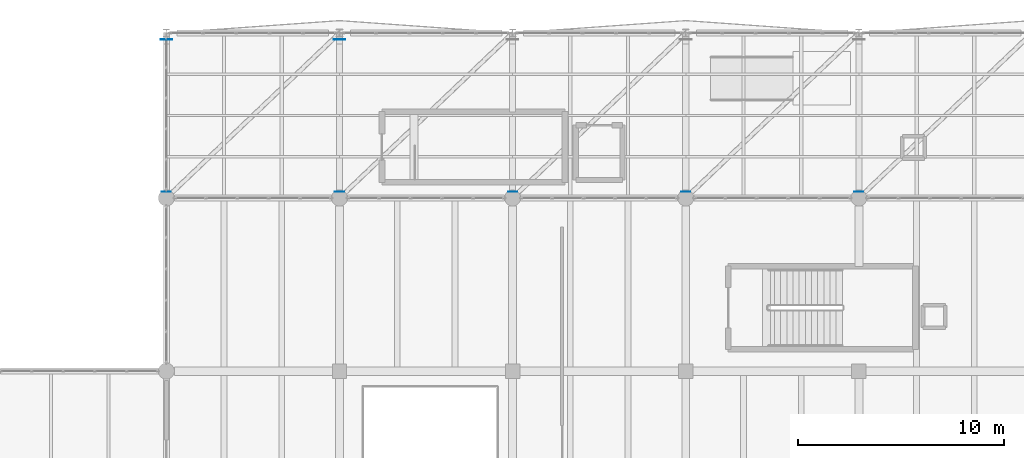
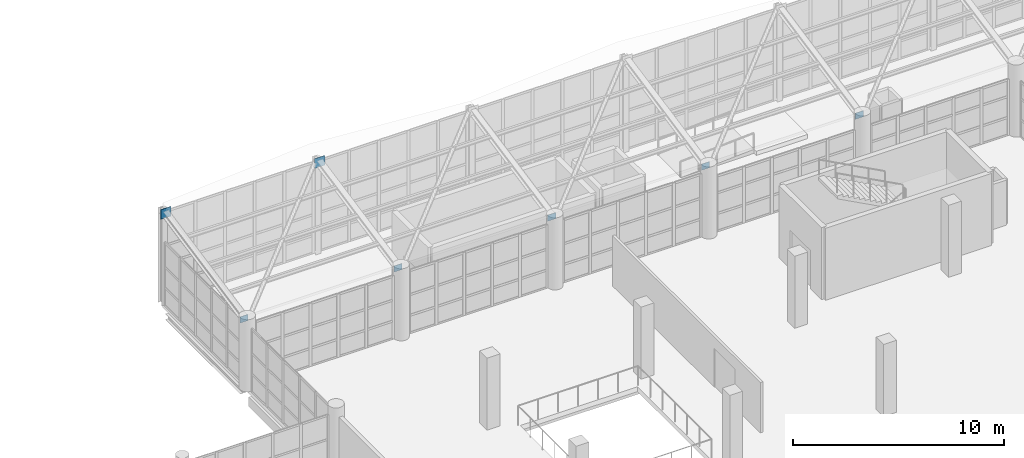
# One storey, part 143 of 177: 7 plates.
"""IFC4 building model written with IfcOpenShell, lengths in metres."""

import ifcopenshell
import ifcopenshell.guid

model = None  # the IFC model being written
_history = None  # IfcOwnerHistory: only IFC2X3 demands one
_inside = {}  # id of a spatial element -> (the spatial element, [elements in it])
_under = {}  # id of a project, library or spatial element -> (it, [spatial elements below it])
_declared = {}  # id of a project -> (the project, [libraries it declares])
_typed = {}  # id of a type object -> (the type object, [elements of that type])
_made_of = {}  # id of a material, layer set ... -> (it, [elements and type objects made of it])


def new_model(schema):
    """Start an empty IFC model of exactly this schema.

    Asked for "IFC4X3", IfcOpenShell would pick the latest addendum, in which some entities
    have other attributes; the version numbers below select the first issue.
    IFC2X3 requires an IfcOwnerHistory on every rooted entity: one is made here for all.
    """
    global model, _history
    if schema == "IFC4X3":
        model = ifcopenshell.file(schema_version=(4, 3, 0, 0))
    else:
        model = ifcopenshell.file(schema=schema)
    _inside.clear()
    _under.clear()
    _declared.clear()
    _typed.clear()
    _made_of.clear()
    _history = None
    if model.schema == "IFC2X3":
        org = make("IfcOrganization", Name="unknown")
        user = make(
            "IfcPersonAndOrganization",
            ThePerson=make("IfcPerson", FamilyName="unknown"),
            TheOrganization=org,
        )
        app = make(
            "IfcApplication",
            ApplicationDeveloper=org,
            Version="unknown",
            ApplicationFullName="unknown",
            ApplicationIdentifier="unknown",
        )
        _history = make(
            "IfcOwnerHistory",
            OwningUser=user,
            OwningApplication=app,
            ChangeAction="ADDED",
            CreationDate=0,
        )
    return model


def make(cls, **values):
    """One entity of the class cls with the attributes given. An attribute that is None is left unset."""
    return model.create_entity(
        cls, **{name: value for name, value in values.items() if value is not None}
    )


def rooted(cls, **values):
    """An entity with a GlobalId (a new one), such as an element, a storey or a relation."""
    return make(cls, GlobalId=ifcopenshell.guid.new(), OwnerHistory=_history, **values)


def si_unit(unit_type, name, prefix=None):
    """IfcSIUnit, for example si_unit("LENGTHUNIT", "METRE", prefix="MILLI")."""
    return make("IfcSIUnit", UnitType=unit_type, Prefix=prefix, Name=name)


def assignment(units):
    """IfcUnitAssignment: the units of a project."""
    return None if units is None else make("IfcUnitAssignment", Units=units)


def point(xyz):
    """IfcCartesianPoint."""
    return None if xyz is None else make("IfcCartesianPoint", Coordinates=xyz)


def direction(xyz):
    """IfcDirection."""
    return None if xyz is None else make("IfcDirection", DirectionRatios=xyz)


def frame(location, z_axis=None, x_axis=None):
    """IfcAxis2Placement3D, a coordinate frame: its origin and axes. An axis left out is left unset."""
    return make(
        "IfcAxis2Placement3D",
        Location=point(location),
        Axis=direction(z_axis),
        RefDirection=direction(x_axis),
    )


def frame_2d(location, x_axis=None):
    """IfcAxis2Placement2D, a coordinate frame in the plane: its origin and x axis."""
    return make(
        "IfcAxis2Placement2D", Location=point(location), RefDirection=direction(x_axis)
    )


def origin():
    """The frame at (0, 0, 0) with its axes left unset."""
    return frame((0.0, 0.0, 0.0))


def origin_2d():
    """The frame at (0, 0) in the plane with its x axis left unset."""
    return frame_2d((0.0, 0.0))


def place(relative_to, where):
    """IfcLocalPlacement: puts the frame where relative to a parent placement (None: the world)."""
    return make(
        "IfcLocalPlacement", PlacementRelTo=relative_to, RelativePlacement=where
    )


def context(
    kind, dimensions, precision=None, world=None, true_north=None, identifier=None
):
    """IfcGeometricRepresentationContext, for example the 3D "Model" context."""
    return make(
        "IfcGeometricRepresentationContext",
        ContextIdentifier=identifier,
        ContextType=kind,
        CoordinateSpaceDimension=dimensions,
        Precision=precision,
        WorldCoordinateSystem=world,
        TrueNorth=true_north,
    )


def subcontext(parent, identifier, kind, view, scale=None):
    """IfcGeometricRepresentationSubContext, for example "Body" below "Model"."""
    return make(
        "IfcGeometricRepresentationSubContext",
        ContextIdentifier=identifier,
        ContextType=kind,
        ParentContext=parent,
        TargetScale=scale,
        TargetView=view,
    )


def project(units=None, contexts=None):
    """IfcProject with its units and contexts."""
    return rooted(
        "IfcProject",
        Name="project",
        RepresentationContexts=contexts,
        UnitsInContext=assignment(units),
    )


def spatial(cls, under=None, at=None, **own):
    """A site, building, storey or space (cls), placed at a placement, below another one or the project."""
    s = rooted(cls, ObjectPlacement=at, **own)
    if under is not None:
        _under.setdefault(under.id(), (under, []))[1].append(s)
    return s


def profile(cls, at=None, kind="AREA", **sizes):
    """A parametric profile (cls). Its sizes go by their IFC names, for example OverallWidth=200.0."""
    return make(cls, ProfileType=kind, Position=at, **sizes)


def rectangle(**sizes):
    """IfcRectangleProfileDef."""
    return profile("IfcRectangleProfileDef", **sizes)


def extrude(swept, where, along, depth):
    """IfcExtrudedAreaSolid: the profile swept, set in the frame where, extruded along a direction by depth."""
    return make(
        "IfcExtrudedAreaSolid",
        SweptArea=swept,
        Position=where,
        ExtrudedDirection=direction(along),
        Depth=depth,
    )


def shape(context_of_items, identifier, shape_type, items):
    """IfcShapeRepresentation: the items that make up one representation, for example the "Body"."""
    return make(
        "IfcShapeRepresentation",
        ContextOfItems=context_of_items,
        RepresentationIdentifier=identifier,
        RepresentationType=shape_type,
        Items=items,
    )


def material(Name=None, Category=None):
    """IfcMaterial."""
    return make("IfcMaterial", Name=Name, Category=Category)


def layer(
    of_material, thickness, ventilated=None, Name=None, Category=None, Priority=None
):
    """IfcMaterialLayer: one layer of a wall or slab, of a material (None: an air gap)."""
    return make(
        "IfcMaterialLayer",
        Material=of_material,
        LayerThickness=thickness,
        IsVentilated=ventilated,
        Name=Name,
        Category=Category,
        Priority=Priority,
    )


def layer_set(layers, Name=None):
    """IfcMaterialLayerSet."""
    return make("IfcMaterialLayerSet", MaterialLayers=layers, LayerSetName=Name)


def made_of(thing, what):
    """Note that an element or type object is made of a material, layer set ...; save() writes the relation."""
    if what is not None:
        _made_of.setdefault(what.id(), (what, []))[1].append(thing)
    return thing


def type_object(cls, material=None, **own):
    """A type object (cls), such as IfcWallType, which elements share."""
    return made_of(rooted(cls, **own), material)


def element(
    cls,
    number,
    at=None,
    inside=None,
    cuts=None,
    type_object=None,
    material=None,
    context=None,
    identifier="Body",
    shape_type=None,
    held_by="IfcProductDefinitionShape",
    body=None,
    shapes=None,
    **own,
):
    """One element of the class cls, such as IfcWall. Its Tag is "e" and its number.

    at: its placement. inside: the storey or other place that contains it. cuts: it is an
    opening in that element (IfcRelVoidsElement). A single representation is given by context,
    identifier, shape_type and body (its items); several are given by shapes. held_by: the class
    of the entity that holds the representations. save() writes the other relations.
    """
    e = rooted(cls, Tag="e%d" % number, ObjectPlacement=at, **own)
    if body is not None:
        shapes = [shape(context, identifier, shape_type, body)]
    if shapes is not None:
        e.Representation = make(held_by, Representations=shapes)
    if inside is not None:
        _inside.setdefault(inside.id(), (inside, []))[1].append(e)
    if cuts is not None:
        rooted(
            "IfcRelVoidsElement", RelatingBuildingElement=cuts, RelatedOpeningElement=e
        )
    if type_object is not None:
        _typed.setdefault(type_object.id(), (type_object, []))[1].append(e)
    return made_of(e, material)


def aggregate(whole, parts):
    """IfcRelAggregates: a whole, such as a stair, and the parts it consists of."""
    return rooted("IfcRelAggregates", RelatingObject=whole, RelatedObjects=parts)


def save(model, path):
    """Write the relations noted so far, then the file.

    IfcRelAggregates (storeys below a building ...), IfcRelContainedInSpatialStructure (elements
    in a storey), IfcRelDefinesByType, IfcRelAssociatesMaterial and IfcRelDeclares: one each for
    every whole, place, type object, material and project.
    """
    for whole, parts in _under.values():
        aggregate(whole, parts)
    for where, things in _inside.values():
        rooted(
            "IfcRelContainedInSpatialStructure",
            RelatedElements=things,
            RelatingStructure=where,
        )
    for kind, things in _typed.values():
        rooted("IfcRelDefinesByType", RelatedObjects=things, RelatingType=kind)
    for what, things in _made_of.values():
        rooted("IfcRelAssociatesMaterial", RelatedObjects=things, RelatingMaterial=what)
    for by, libraries in _declared.values():
        rooted("IfcRelDeclares", RelatingContext=by, RelatedDefinitions=libraries)
    model.write(path)


model = new_model("IFC4")

# Units and contexts
model_context = context("Model", 3, precision=1e-05, world=origin(), true_north=direction((0.0, 1.0)))
body_context = subcontext(model_context, "Body", "Model", "MODEL_VIEW")
ifc_project = project(units=[si_unit("LENGTHUNIT", "METRE"), si_unit("AREAUNIT", "SQUARE_METRE"), si_unit("VOLUMEUNIT", "CUBIC_METRE"), si_unit("PLANEANGLEUNIT", "RADIAN"), si_unit("MASSUNIT", "GRAM", prefix="KILO"), si_unit("THERMODYNAMICTEMPERATUREUNIT", "KELVIN"), si_unit("POWERUNIT", "WATT")], contexts=[model_context])

# Site, building, storey
site_placement = place(None, origin())
site = spatial("IfcSite", under=ifc_project, at=site_placement, CompositionType="ELEMENT")
building_placement = place(site_placement, origin())
building = spatial("IfcBuilding", under=site, at=building_placement, Name="Mavoryth Pier Ferry Terminal", CompositionType="ELEMENT")
storey_placement = place(building_placement, frame((0.0, 0.0, 5.43994140625)))
storey = spatial("IfcBuildingStorey", under=building, at=storey_placement, Name="L01", CompositionType="ELEMENT", Elevation=5.43994140625)

# Plates
ifc_material = material(Name="Steel S355J2", Category="steel")
ifc_layer_1 = layer(ifc_material, 0.02392578125, Name="Steel S355J2", Category="steel")
ifc_layer_set_1 = layer_set([ifc_layer_1], Name="Steel S355J2 - Plate-BaseSeat-560x560x24")
plate_type_1 = type_object("IfcPlateType", Name="Plate-BaseSeat-560x560x24", PredefinedType="SHEET", material=ifc_layer_set_1)
for number, where, z_axis, x_axis, name in (
    (1, (50.39990234375, 113.699951171875, 5.118896484375), (0.0, 0.0, 1.0), (1.0, 0.0, 0.0), "Steel Node Plate PL-L01-0048"),
    (2, (58.800048828125, 113.699951171875, 5.118896484375), (0.0, 0.0, 1.0), (1.0, 0.0, 0.0), "Steel Node Plate PL-L01-0050"),
):
    element("IfcPlate", number, at=place(storey_placement, frame(where, z_axis=z_axis, x_axis=x_axis)), inside=storey, type_object=plate_type_1, Name=name, PredefinedType="SHEET", context=body_context, shape_type="SweptSolid", body=[
        extrude(rectangle(XDim=0.56005859375, YDim=0.02392578125, at=origin_2d()), origin(), (0.0, 0.0, 1.0), 0.56005859375),
    ])
ifc_layer_2 = layer(ifc_material, 0.01611328125, Name="Steel S355J2", Category="steel")
ifc_layer_set_2 = layer_set([ifc_layer_2], Name="Steel S355J2 - Plate-Gusset-440x360x16")
plate_type_2 = type_object("IfcPlateType", Name="Plate-Gusset-440x360x16", PredefinedType="SHEET", material=ifc_layer_set_2)
for number, where, z_axis, x_axis, name in (
    (3, (50.39990234375, 106.300048828125, 3.59130859375), (0.0, 0.0, 1.0), (1.0, 0.0, 0.0), "Steel Node Plate PL-L01-0047"),
    (4, (58.800048828125, 106.300048828125, 3.59130859375), (0.0, 0.0, 1.0), (1.0, 0.0, 0.0), "Steel Node Plate PL-L01-0049"),
    (5, (67.199951171875, 106.300048828125, 3.59130859375), (0.0, 0.0, 1.0), (1.0, 0.0, 0.0), "Steel Node Plate PL-L01-0051"),
    (6, (75.60009765625, 106.300048828125, 3.59130859375), (0.0, 0.0, 1.0), (1.0, 0.0, 0.0), "Steel Node Plate PL-L01-0053"),
    (7, (84.0, 106.300048828125, 3.59130859375), (0.0, 0.0, 1.0), (1.0, 0.0, 0.0), "Steel Node Plate PL-L01-0055"),
):
    element("IfcPlate", number, at=place(storey_placement, frame(where, z_axis=z_axis, x_axis=x_axis)), inside=storey, type_object=plate_type_2, Name=name, PredefinedType="SHEET", context=body_context, shape_type="SweptSolid", body=[
        extrude(rectangle(XDim=0.43994140625, YDim=0.01611328125, at=origin_2d()), origin(), (0.0, 0.0, 1.0), 0.360107421875),
    ])

save(model, "model.ifc")
